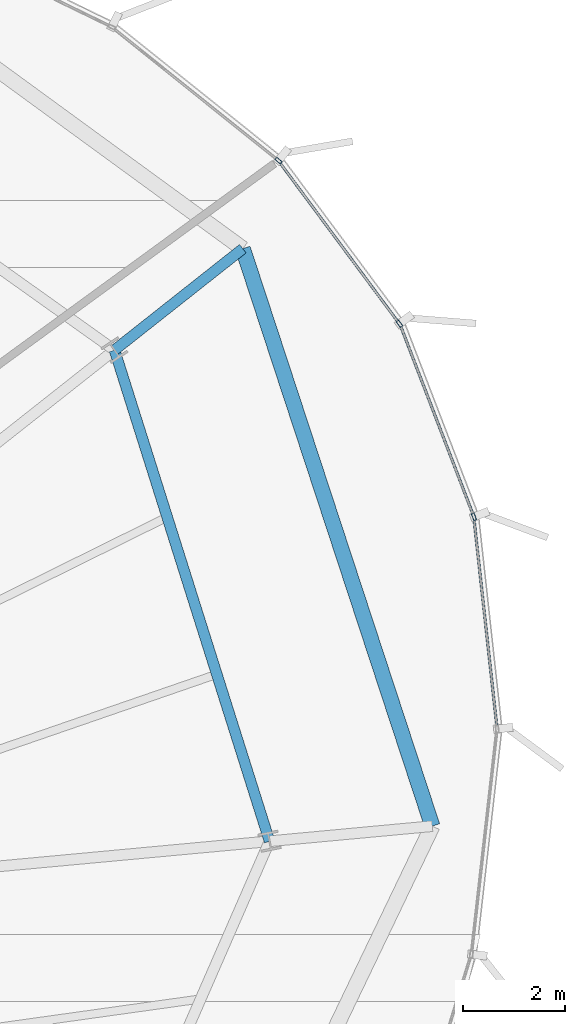
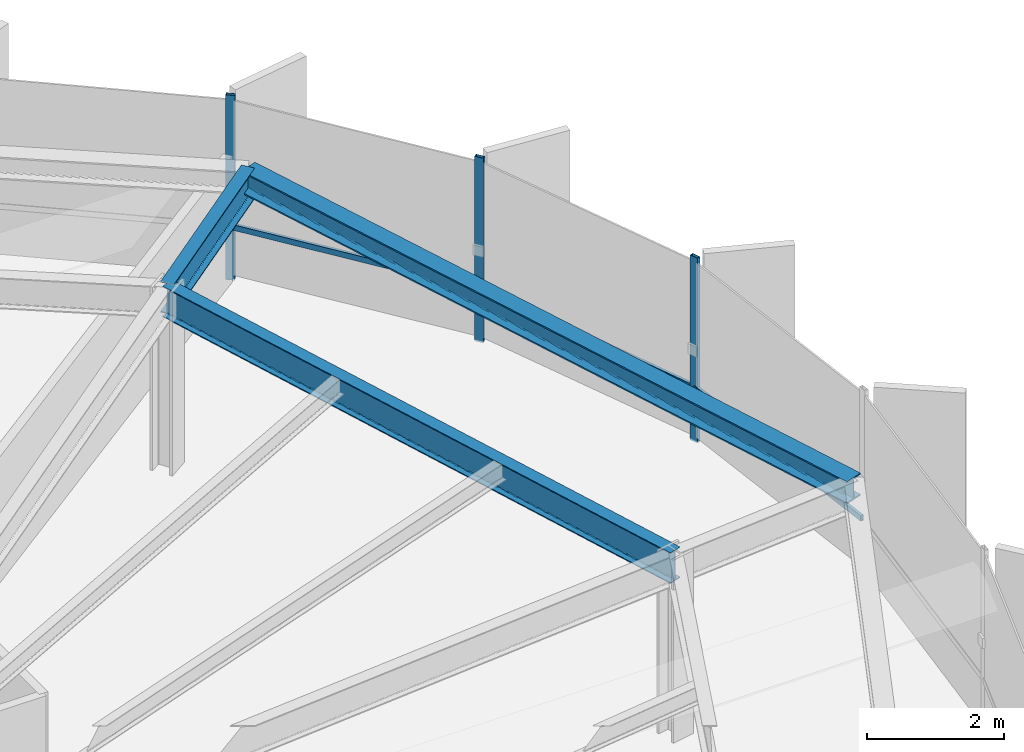
# One storey, part 25 of 36: 6 members, 3 beams, 2 elements without a shape of their own.
"""IFC4 building model written with IfcOpenShell, lengths in metres."""

from ifc_helpers import new_model, si_unit, direction, frame, origin, origin_2d, place, context, subcontext, project, spatial, hollow_rectangle, i_section, extrude, source, transform, mapped, material, layer, layer_set, material_profile, profile_set, type_object, element, aggregate, save


model = new_model("IFC4")

# Units and contexts
model_context = context("Model", 3, precision=1e-05, world=origin(), true_north=direction((0.0, 1.0)))
body_context = subcontext(model_context, "Body", "Model", "MODEL_VIEW")
ifc_project = project(units=[si_unit("LENGTHUNIT", "METRE"), si_unit("AREAUNIT", "SQUARE_METRE"), si_unit("VOLUMEUNIT", "CUBIC_METRE"), si_unit("PLANEANGLEUNIT", "RADIAN"), si_unit("MASSUNIT", "GRAM", prefix="KILO"), si_unit("THERMODYNAMICTEMPERATUREUNIT", "KELVIN")], contexts=[model_context])

# Site, building, storey
site_placement = place(None, origin())
site = spatial("IfcSite", under=ifc_project, at=site_placement, CompositionType="ELEMENT")
building_placement = place(site_placement, origin())
building = spatial("IfcBuilding", under=site, at=building_placement, Name="Kethvar Cultural Tower", CompositionType="ELEMENT")
storey_placement = place(building_placement, frame((0.0, 0.0, 150.10009765625)))
storey = spatial("IfcBuildingStorey", under=building, at=storey_placement, Name="L38", CompositionType="ELEMENT", Elevation=150.10009765625)

# Beams
ifc_material_1 = material(Name="Steel S355J2", Category="steel")
ifc_material_profile_1 = material_profile(ifc_material_1, i_section(OverallWidth=0.2099609375, OverallDepth=0.550048828125, WebThickness=0.010986328125, FlangeThickness=0.01708984375, FilletRadius=0.02392578125, at=origin_2d()), Name="Steel S355J2 — IPE550")
ifc_profile_set_1 = profile_set([ifc_material_profile_1], Name="Steel S355J2 — IPE550")
beam_type_1 = type_object("IfcBeamType", Name="BM-IPE550", PredefinedType="BEAM", material=ifc_profile_set_1)
shared_shape_1 = source(origin(), body_context, "Body", "SweptSolid", [
    extrude(i_section(OverallWidth=0.2099609375, OverallDepth=0.550048828125, WebThickness=0.010986328125, FlangeThickness=0.01708984375, FilletRadius=0.02392578125, at=origin_2d()), origin(), (0.0, 0.0, 1.0), 3.2001953125),
])
beam_1_placement = place(storey_placement, frame((68.568603515625, 42.34521484375, 3.02294921875), z_axis=(0.784650322996, 0.619938602301, 0.0), x_axis=(-0.619938602301, 0.784650322996, 0.0)))
element("IfcBeam", 1, at=beam_1_placement, inside=storey, type_object=beam_type_1, Name="L38 Perimeter Cantilever Beam RC-02", PredefinedType="BEAM", context=body_context, shape_type="MappedRepresentation", body=[
    mapped(shared_shape_1, transform((0.0, 0.0, 0.0), scale=1.0)),
])
shared_shape_2 = source(origin(), body_context, "Body", "SweptSolid", [
    extrude(i_section(OverallWidth=0.2099609375, OverallDepth=0.550048828125, WebThickness=0.010986328125, FlangeThickness=0.01708984375, FilletRadius=0.02392578125, at=origin_2d()), origin(), (0.0, 0.0, 1.0), 10.079345703125),
])
beam_2_placement = place(storey_placement, frame((71.6025390625, 32.7333984375, 3.02294921875), z_axis=(-0.301007326566, 0.953621827222, 0.0), x_axis=(-0.953621827222, -0.301007326566, 0.0)))
element("IfcBeam", 2, at=beam_2_placement, inside=storey, type_object=beam_type_1, Name="L38 Column Ring Tie Beam CR-01", PredefinedType="BEAM", context=body_context, shape_type="MappedRepresentation", body=[
    mapped(shared_shape_2, transform((0.0, 0.0, 0.0), scale=1.0)),
])
ifc_material_profile_2 = material_profile(ifc_material_1, i_section(OverallWidth=0.300048828125, OverallDepth=0.39990234375, WebThickness=0.013427734375, FlangeThickness=0.02392578125, FilletRadius=0.027099609375, at=origin_2d()), Name="Steel S355J2 — HEB400")
ifc_profile_set_2 = profile_set([ifc_material_profile_2], Name="Steel S355J2 — HEB400")
beam_type_2 = type_object("IfcBeamType", Name="BM-SP400", PredefinedType="SPANDREL", material=ifc_profile_set_2)
shared_shape_3 = source(origin(), body_context, "Body", "SweptSolid", [
    extrude(i_section(OverallWidth=0.300048828125, OverallDepth=0.39990234375, WebThickness=0.013427734375, FlangeThickness=0.02392578125, FilletRadius=0.027099609375, at=origin_2d()), origin(), (0.0, 0.0, 1.0), 11.8935546875),
])
beam_3_placement = place(storey_placement, frame((74.788818359375, 33.02880859375, 3.097900390625), z_axis=(-0.311870604739, 0.95012458441, 0.0), x_axis=(-0.95012458441, -0.311870604739, 0.0)))
element("IfcBeam", 3, at=beam_3_placement, inside=storey, type_object=beam_type_2, Name="L38 Perimeter Spandrel Beam SP-01", PredefinedType="SPANDREL", context=body_context, shape_type="MappedRepresentation", body=[
    mapped(shared_shape_3, transform((0.0, 0.0, 0.0), scale=1.0)),
])

# Curtain wall, members
ifc_material_2 = material(Name="Aluminium 6063-T6", Category="aluminium")
ifc_layer = layer(ifc_material_2, 0.179931640625, Name="Aluminium 6063-T6", Category="aluminium")
ifc_layer_set = layer_set([ifc_layer], Name="Aluminium 6063-T6 (180 mm)")
curtain_wall_type = type_object("IfcCurtainWallType", Name="CW-SYS-04-Z34", PredefinedType="NOTDEFINED", material=ifc_layer_set)
curtain_wall_1_placement = place(storey_placement, origin())
curtain_wall_1 = element("IfcCurtainWall", 4, at=curtain_wall_1_placement, inside=storey, type_object=curtain_wall_type, Name="L38 Curtain Wall Run 01", PredefinedType="NOTDEFINED")
ifc_material_profile_3 = material_profile(ifc_material_2, hollow_rectangle(XDim=0.06005859375, YDim=0.139892578125, WallThickness=0.0048828125, at=origin_2d()), Name="Aluminium 6063-T6 — RHS140x60x5")
ifc_profile_set_3 = profile_set([ifc_material_profile_3], Name="Aluminium 6063-T6 — RHS140x60x5")
member_type_1 = type_object("IfcMemberType", Name="CW-SYS-04-Z34-MUL", PredefinedType="MULLION", material=ifc_profile_set_3)
shared_shape_4 = source(origin(), body_context, "Body", "SweptSolid", [
    extrude(hollow_rectangle(XDim=0.06005859375, YDim=0.139892578125, WallThickness=0.0048828125, at=origin_2d()), origin(), (0.0, 0.0, 1.0), 3.2998046875),
])
member_1_placement = place(storey_placement, frame((74.14453125, 42.860107421875, 0.0), z_axis=(0.0, 0.0, 1.0), x_axis=(-0.802963136444, -0.596028691853, 0.0)))
member_1 = element("IfcMember", 5, at=member_1_placement, type_object=member_type_1, Name="CW-L38-R01 Mullion 1", PredefinedType="MULLION", context=body_context, shape_type="MappedRepresentation", body=[
    mapped(shared_shape_4, transform((0.0, 0.0, 0.0), scale=1.0)),
])
member_2_placement = place(storey_placement, frame((71.7783203125, 46.0537109375, 0.0), z_axis=(0.0, 0.0, 1.0), x_axis=(-0.624983821439, -0.78063770274, 0.0)))
member_2 = element("IfcMember", 6, at=member_2_placement, type_object=member_type_1, Name="CW-L38-R01 Mullion 2", PredefinedType="MULLION", context=body_context, shape_type="MappedRepresentation", body=[
    mapped(shared_shape_4, transform((0.0, 0.0, 0.0), scale=1.0)),
])

# Curtain wall, member
curtain_wall_2_placement = place(storey_placement, origin())
curtain_wall_2 = element("IfcCurtainWall", 7, at=curtain_wall_2_placement, inside=storey, type_object=curtain_wall_type, Name="L38 Curtain Wall Run 06", PredefinedType="NOTDEFINED")
member_3_placement = place(storey_placement, frame((75.602783203125, 39.081787109375, 0.0), z_axis=(0.0, 0.0, 1.0), x_axis=(-0.933492832819, -0.358596055577, 0.0)))
member_3 = element("IfcMember", 8, at=member_3_placement, type_object=member_type_1, Name="CW-L38-R06 Mullion 6", PredefinedType="MULLION", context=body_context, shape_type="MappedRepresentation", body=[
    mapped(shared_shape_4, transform((0.0, 0.0, 0.0), scale=1.0)),
])

# Member
ifc_material_profile_4 = material_profile(ifc_material_2, hollow_rectangle(XDim=0.050048828125, YDim=0.10009765625, WallThickness=0.00390625, at=origin_2d()), Name="Aluminium 6063-T6 — RHS100x50x4")
ifc_profile_set_4 = profile_set([ifc_material_profile_4], Name="Aluminium 6063-T6 — RHS100x50x4")
member_type_2 = type_object("IfcMemberType", Name="CW-SYS-04-Z34-TRN", PredefinedType="USERDEFINED", material=ifc_profile_set_4)
shared_shape_5 = source(origin(), body_context, "Body", "SweptSolid", [
    extrude(hollow_rectangle(XDim=0.050048828125, YDim=0.10009765625, WallThickness=0.00390625, at=origin_2d()), origin(), (0.0, 0.0, 1.0), 3.95556640625),
])
member_4_placement = place(storey_placement, frame((74.14208984375, 42.86328125, 0.949951171875), z_axis=(-0.596052369552, 0.802945560267, 0.0), x_axis=(-0.802945560267, -0.596052369552, 0.0)))
member_4 = element("IfcMember", 9, at=member_4_placement, type_object=member_type_2, Name="CW-L38-R01 Transom 1", ObjectType="TRANSOM", PredefinedType="USERDEFINED", context=body_context, shape_type="MappedRepresentation", body=[
    mapped(shared_shape_5, transform((0.0, 0.0, 0.0), scale=1.0)),
])

aggregate(curtain_wall_1, [member_1, member_2, member_4])

member_5_placement = place(storey_placement, frame((75.58740234375, 39.1220703125, 0.949951171875), z_axis=(-0.358606807768, 0.933488702354, 0.0), x_axis=(-0.933488702354, -0.358606807768, 0.0)))
member_5 = element("IfcMember", 10, at=member_5_placement, type_object=member_type_2, Name="CW-L38-R06 Transom 6", ObjectType="TRANSOM", PredefinedType="USERDEFINED", context=body_context, shape_type="MappedRepresentation", body=[
    mapped(shared_shape_5, transform((0.0, 0.0, 0.0), scale=1.0)),
])

shared_shape_6 = source(origin(), body_context, "Body", "SweptSolid", [
    extrude(hollow_rectangle(XDim=0.050048828125, YDim=0.10009765625, WallThickness=0.00390625, at=origin_2d()), origin(), (0.0, 0.0, 1.0), 4.116943359375),
])
member_6_placement = place(storey_placement, frame((76.051513671875, 34.973876953125, 0.949951171875), z_axis=(-0.109409617031, 0.993996748335, 0.0), x_axis=(-0.993996748335, -0.109409617031, 0.0)))
member_6 = element("IfcMember", 11, at=member_6_placement, type_object=member_type_2, Name="CW-L38-R06 Transom 5", ObjectType="TRANSOM", PredefinedType="USERDEFINED", context=body_context, shape_type="MappedRepresentation", body=[
    mapped(shared_shape_6, transform((0.0, 0.0, 0.0), scale=1.0)),
])

aggregate(curtain_wall_2, [member_3, member_6, member_5])

save(model, "model.ifc")
